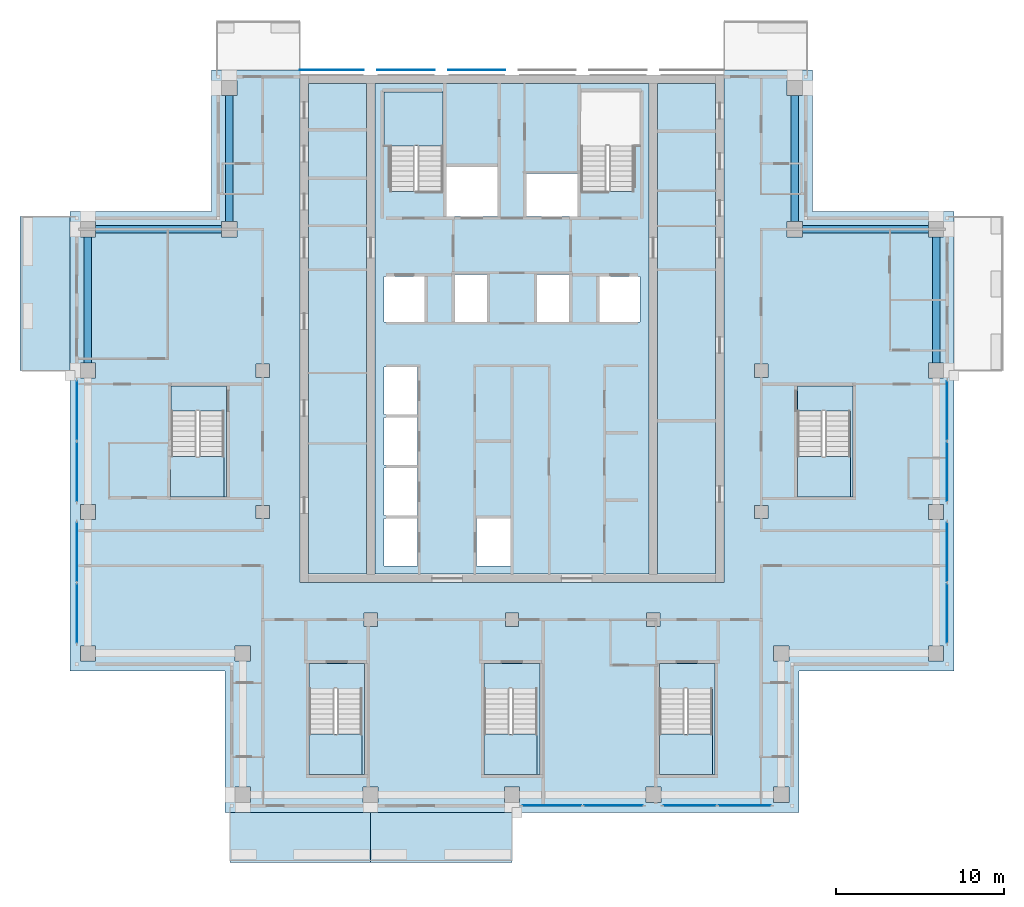
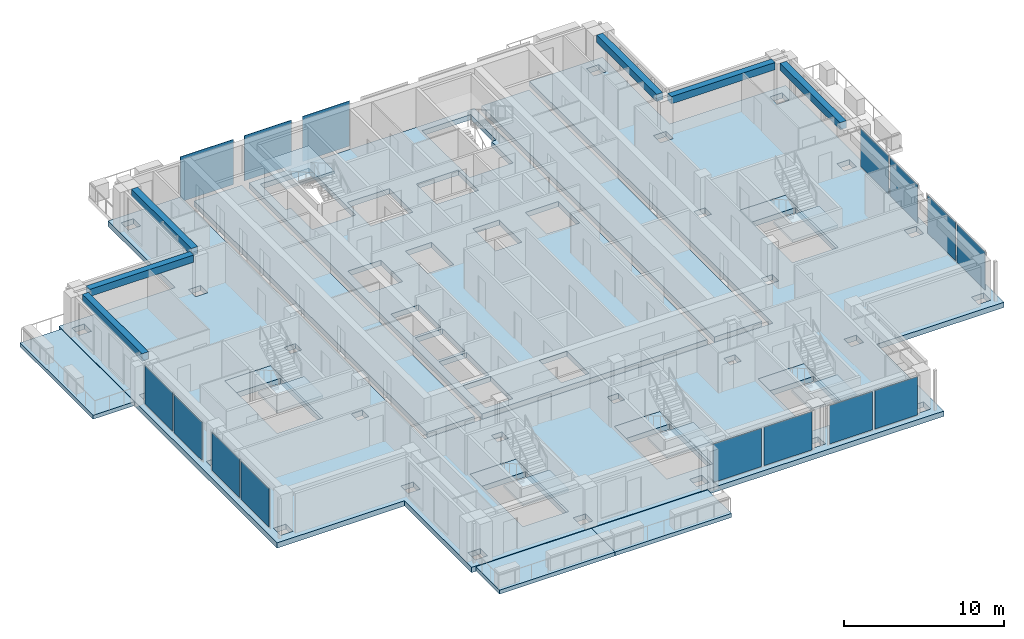
# One storey, part 5 of 15: 18 slabs, 15 plates, 6 beams, 12 elements without a shape of their own.
"""IFC4 building model written with IfcOpenShell, lengths in metres."""

from ifc_helpers import new_model, si_unit, direction, frame, origin, origin_2d, place, context, subcontext, project, spatial, polyline, rectangle, outline, extrude, material, layer, layer_set, material_profile, profile_set, type_object, element, aggregate, save


model = new_model("IFC4")

# Units and contexts
model_context = context("Model", 3, precision=1e-05, world=origin(), true_north=direction((0.0, 1.0)))
body_context = subcontext(model_context, "Body", "Model", "MODEL_VIEW")
ifc_project = project(units=[si_unit("LENGTHUNIT", "METRE"), si_unit("AREAUNIT", "SQUARE_METRE"), si_unit("VOLUMEUNIT", "CUBIC_METRE"), si_unit("PLANEANGLEUNIT", "RADIAN"), si_unit("MASSUNIT", "GRAM", prefix="KILO")], contexts=[model_context])

# Site, building, storey
site_placement = place(None, origin())
site = spatial("IfcSite", under=ifc_project, at=site_placement, CompositionType="ELEMENT")
building_placement = place(site_placement, origin())
building = spatial("IfcBuilding", under=site, at=building_placement, Name="Vermilion Ogive Tower", CompositionType="ELEMENT")
storey_placement = place(building_placement, frame((0.0, 0.0, 237.25)))
storey = spatial("IfcBuildingStorey", under=building, at=storey_placement, Name="L62", CompositionType="ELEMENT", Elevation=237.25)

# Beams
ifc_material_1 = material(Name="Concrete B45", Category="concrete")
ifc_material_profile = material_profile(ifc_material_1, rectangle(XDim=0.449951171875, YDim=0.550048828125, at=origin_2d()), Name="450 x 550")
ifc_profile_set = profile_set([ifc_material_profile], Name="Concrete B45")
beam_type = type_object("IfcBeamType", Name="Edge beam 450 x 550 B45", PredefinedType="BEAM", material=ifc_profile_set)
for number, where, z_axis, x_axis, name in (
    (1, (25.199951171875, 4.64990234375, 2.77490234375), (0.0, 1.0, 0.0), (-1.0, 0.0, 0.0), "L62-EB-9"),
    (2, (24.75, 12.60009765625, 2.77490234375), (-1.0, 0.0, 0.0), (0.0, -1.0, 0.0), "L62-EB-10"),
    (3, (16.800048828125, 13.050048828125, 2.77490234375), (0.0, 1.0, 0.0), (-1.0, 0.0, 0.0), "L62-EB-11"),
    (4, (-16.800048828125, 20.550048828125, 2.77490234375), (0.0, -1.0, 0.0), (1.0, 0.0, 0.0), "L62-EB-12"),
    (5, (-17.25, 12.60009765625, 2.77490234375), (-1.0, 0.0, 0.0), (0.0, -1.0, 0.0), "L62-EB-13"),
    (6, (-25.199951171875, 12.14990234375, 2.77490234375), (0.0, -1.0, 0.0), (1.0, 0.0, 0.0), "L62-EB-14"),
):
    element("IfcBeam", number, at=place(storey_placement, frame(where, z_axis=z_axis, x_axis=x_axis)), inside=storey, type_object=beam_type, Name=name, PredefinedType="BEAM", context=body_context, shape_type="SweptSolid", body=[
        extrude(rectangle(XDim=0.449951171875, YDim=0.550048828125, at=origin_2d()), origin(), (0.0, 0.0, 1.0), 7.5),
    ])

# Slabs
ifc_material_2 = material(Name="Concrete B40", Category="concrete")
ifc_layer_1 = layer(ifc_material_2, 0.300048828125)
ifc_layer_set_1 = layer_set([ifc_layer_1], Name="Balcony slab")
slab_type_1 = type_object("IfcSlabType", Name="Balcony slab", PredefinedType="FLOOR", material=ifc_layer_set_1)
slab_1_placement = place(storey_placement, frame((0.0, 0.0, -0.340087890625)))
element("IfcSlab", 7, at=slab_1_placement, inside=storey, type_object=slab_type_1, Name="Balcony slab S01", PredefinedType="FLOOR", context=body_context, shape_type="SweptSolid", body=[
    extrude(outline(polyline([(-16.75, -25.030029296875), (-8.39990234375, -25.030029296875), (-8.39990234375, -22.050048828125), (-16.75, -22.050048828125), (-16.75, -25.030029296875)])), origin(), (0.0, 0.0, 1.0), 0.300048828125),
])
slab_2_placement = place(storey_placement, frame((0.0, 0.0, -0.340087890625)))
element("IfcSlab", 8, at=slab_2_placement, inside=storey, type_object=slab_type_1, Name="Balcony slab S02", PredefinedType="FLOOR", context=body_context, shape_type="SweptSolid", body=[
    extrude(outline(polyline([(-8.39990234375, -25.030029296875), (0.0, -25.030029296875), (0.0, -22.050048828125), (-8.39990234375, -22.050048828125), (-8.39990234375, -25.030029296875)])), origin(), (0.0, 0.0, 1.0), 0.300048828125),
])
slab_3_placement = place(storey_placement, frame((0.0, 0.0, -0.340087890625)))
element("IfcSlab", 9, at=slab_3_placement, inside=storey, type_object=slab_type_1, Name="Balcony slab W01", PredefinedType="FLOOR", context=body_context, shape_type="SweptSolid", body=[
    extrude(outline(polyline([(-29.22998046875, 13.35009765625), (-29.22998046875, 4.199951171875), (-26.25, 4.199951171875), (-26.25, 13.35009765625), (-29.22998046875, 13.35009765625)])), origin(), (0.0, 0.0, 1.0), 0.300048828125),
])

# Curtain wall, plates
ifc_material_3 = material(Name="Low-iron laminated glazing in aluminium frame", Category="aluminium")
curtain_wall_type = type_object("IfcCurtainWallType", Name="Curtain wall CW7", PredefinedType="NOTDEFINED", material=ifc_material_3)
curtain_wall_1_placement = place(storey_placement, origin())
curtain_wall_1 = element("IfcCurtainWall", 10, at=curtain_wall_1_placement, inside=storey, type_object=curtain_wall_type, Name="Glazed skin S3", PredefinedType="NOTDEFINED")
ifc_material_4 = material(Name="Low-iron laminated glazing in aluminium frame", Category="aluminium")
ifc_layer_2 = layer(ifc_material_4, 0.031982421875)
ifc_layer_set_2 = layer_set([ifc_layer_2], Name="CW7 glazing panel 32")
plate_type_1 = type_object("IfcPlateType", Name="CW7 glazing panel 32", PredefinedType="CURTAIN_PANEL", material=ifc_layer_set_2)
plate_1_placement = place(storey_placement, frame((2.3701171875, -21.64990234375, 0.06005859375), z_axis=(0.0, 0.0, 1.0), x_axis=(1.0, 0.0, 0.0)))
plate_1 = element("IfcPlate", 11, at=plate_1_placement, type_object=plate_type_1, Name="CW7-S3 panel 1.1", PredefinedType="CURTAIN_PANEL", context=body_context, shape_type="SweptSolid", body=[
    extrude(rectangle(XDim=3.47998046875, YDim=0.031982421875, at=origin_2d()), origin(), (0.0, 0.0, 1.0), 2.929931640625),
])
plate_2_placement = place(storey_placement, frame((6.030029296875, -21.64990234375, 0.06005859375), z_axis=(0.0, 0.0, 1.0), x_axis=(1.0, 0.0, 0.0)))
plate_2 = element("IfcPlate", 12, at=plate_2_placement, type_object=plate_type_1, Name="CW7-S3 panel 2.1", PredefinedType="CURTAIN_PANEL", context=body_context, shape_type="SweptSolid", body=[
    extrude(rectangle(XDim=3.47998046875, YDim=0.031982421875, at=origin_2d()), origin(), (0.0, 0.0, 1.0), 2.929931640625),
])
aggregate(curtain_wall_1, [plate_1, plate_2])

curtain_wall_2_placement = place(storey_placement, origin())
curtain_wall_2 = element("IfcCurtainWall", 13, at=curtain_wall_2_placement, inside=storey, type_object=curtain_wall_type, Name="Glazed skin S4", PredefinedType="NOTDEFINED")
plate_3_placement = place(storey_placement, frame((10.570068359375, -21.64990234375, 0.06005859375), z_axis=(0.0, 0.0, 1.0), x_axis=(1.0, 0.0, 0.0)))
plate_3 = element("IfcPlate", 14, at=plate_3_placement, type_object=plate_type_1, Name="CW7-S4 panel 1.1", PredefinedType="CURTAIN_PANEL", context=body_context, shape_type="SweptSolid", body=[
    extrude(rectangle(XDim=3.080078125, YDim=0.031982421875, at=origin_2d()), origin(), (0.0, 0.0, 1.0), 2.929931640625),
])
plate_4_placement = place(storey_placement, frame((13.830078125, -21.64990234375, 0.06005859375), z_axis=(0.0, 0.0, 1.0), x_axis=(1.0, 0.0, 0.0)))
plate_4 = element("IfcPlate", 15, at=plate_4_placement, type_object=plate_type_1, Name="CW7-S4 panel 2.1", PredefinedType="CURTAIN_PANEL", context=body_context, shape_type="SweptSolid", body=[
    extrude(rectangle(XDim=3.080078125, YDim=0.031982421875, at=origin_2d()), origin(), (0.0, 0.0, 1.0), 2.929931640625),
])
aggregate(curtain_wall_2, [plate_3, plate_4])

curtain_wall_3_placement = place(storey_placement, origin())
curtain_wall_3 = element("IfcCurtainWall", 16, at=curtain_wall_3_placement, inside=storey, type_object=curtain_wall_type, Name="Glazed skin E1", PredefinedType="NOTDEFINED")
plate_5_placement = place(storey_placement, frame((25.85009765625, -10.22998046875, 0.06005859375), z_axis=(0.0, 0.0, 1.0), x_axis=(0.0, 1.0, 0.0)))
plate_5 = element("IfcPlate", 17, at=plate_5_placement, type_object=plate_type_1, Name="CW7-E1 panel 1.1", PredefinedType="CURTAIN_PANEL", context=body_context, shape_type="SweptSolid", body=[
    extrude(rectangle(XDim=3.47998046875, YDim=0.031982421875, at=origin_2d()), origin(), (0.0, 0.0, 1.0), 2.929931640625),
])
plate_6_placement = place(storey_placement, frame((25.85009765625, -6.570068359375, 0.06005859375), z_axis=(0.0, 0.0, 1.0), x_axis=(0.0, 1.0, 0.0)))
plate_6 = element("IfcPlate", 18, at=plate_6_placement, type_object=plate_type_1, Name="CW7-E1 panel 2.1", PredefinedType="CURTAIN_PANEL", context=body_context, shape_type="SweptSolid", body=[
    extrude(rectangle(XDim=3.47998046875, YDim=0.031982421875, at=origin_2d()), origin(), (0.0, 0.0, 1.0), 2.929931640625),
])
aggregate(curtain_wall_3, [plate_5, plate_6])

curtain_wall_4_placement = place(storey_placement, origin())
curtain_wall_4 = element("IfcCurtainWall", 19, at=curtain_wall_4_placement, inside=storey, type_object=curtain_wall_type, Name="Glazed skin E2", PredefinedType="NOTDEFINED")
plate_7_placement = place(storey_placement, frame((25.85009765625, -1.830078125, 0.06005859375), z_axis=(0.0, 0.0, 1.0), x_axis=(0.0, 1.0, 0.0)))
plate_7 = element("IfcPlate", 20, at=plate_7_placement, type_object=plate_type_1, Name="CW7-E2 panel 1.1", PredefinedType="CURTAIN_PANEL", context=body_context, shape_type="SweptSolid", body=[
    extrude(rectangle(XDim=3.47998046875, YDim=0.031982421875, at=origin_2d()), origin(), (0.0, 0.0, 1.0), 2.929931640625),
])
plate_8_placement = place(storey_placement, frame((25.85009765625, 1.830078125, 0.06005859375), z_axis=(0.0, 0.0, 1.0), x_axis=(0.0, 1.0, 0.0)))
plate_8 = element("IfcPlate", 21, at=plate_8_placement, type_object=plate_type_1, Name="CW7-E2 panel 2.1", PredefinedType="CURTAIN_PANEL", context=body_context, shape_type="SweptSolid", body=[
    extrude(rectangle(XDim=3.47998046875, YDim=0.031982421875, at=origin_2d()), origin(), (0.0, 0.0, 1.0), 2.929931640625),
])
aggregate(curtain_wall_4, [plate_7, plate_8])

curtain_wall_5_placement = place(storey_placement, origin())
curtain_wall_5 = element("IfcCurtainWall", 22, at=curtain_wall_5_placement, inside=storey, type_object=curtain_wall_type, Name="Glazed skin W2", PredefinedType="NOTDEFINED")
plate_9_placement = place(storey_placement, frame((-25.85009765625, 1.830078125, 0.06005859375), z_axis=(0.0, 0.0, 1.0), x_axis=(0.0, -1.0, 0.0)))
plate_9 = element("IfcPlate", 23, at=plate_9_placement, type_object=plate_type_1, Name="CW7-W2 panel 1.1", PredefinedType="CURTAIN_PANEL", context=body_context, shape_type="SweptSolid", body=[
    extrude(rectangle(XDim=3.47998046875, YDim=0.031982421875, at=origin_2d()), origin(), (0.0, 0.0, 1.0), 2.929931640625),
])
plate_10_placement = place(storey_placement, frame((-25.85009765625, -1.830078125, 0.06005859375), z_axis=(0.0, 0.0, 1.0), x_axis=(0.0, -1.0, 0.0)))
plate_10 = element("IfcPlate", 24, at=plate_10_placement, type_object=plate_type_1, Name="CW7-W2 panel 2.1", PredefinedType="CURTAIN_PANEL", context=body_context, shape_type="SweptSolid", body=[
    extrude(rectangle(XDim=3.47998046875, YDim=0.031982421875, at=origin_2d()), origin(), (0.0, 0.0, 1.0), 2.929931640625),
])
aggregate(curtain_wall_5, [plate_9, plate_10])

curtain_wall_6_placement = place(storey_placement, origin())
curtain_wall_6 = element("IfcCurtainWall", 25, at=curtain_wall_6_placement, inside=storey, type_object=curtain_wall_type, Name="Glazed skin W3", PredefinedType="NOTDEFINED")
plate_11_placement = place(storey_placement, frame((-25.85009765625, -6.570068359375, 0.06005859375), z_axis=(0.0, 0.0, 1.0), x_axis=(0.0, -1.0, 0.0)))
plate_11 = element("IfcPlate", 26, at=plate_11_placement, type_object=plate_type_1, Name="CW7-W3 panel 1.1", PredefinedType="CURTAIN_PANEL", context=body_context, shape_type="SweptSolid", body=[
    extrude(rectangle(XDim=3.47998046875, YDim=0.031982421875, at=origin_2d()), origin(), (0.0, 0.0, 1.0), 2.929931640625),
])
plate_12_placement = place(storey_placement, frame((-25.85009765625, -10.22998046875, 0.06005859375), z_axis=(0.0, 0.0, 1.0), x_axis=(0.0, -1.0, 0.0)))
plate_12 = element("IfcPlate", 27, at=plate_12_placement, type_object=plate_type_1, Name="CW7-W3 panel 2.1", PredefinedType="CURTAIN_PANEL", context=body_context, shape_type="SweptSolid", body=[
    extrude(rectangle(XDim=3.47998046875, YDim=0.031982421875, at=origin_2d()), origin(), (0.0, 0.0, 1.0), 2.929931640625),
])
aggregate(curtain_wall_6, [plate_11, plate_12])

# Slabs
ifc_material_5 = material(Name="Concrete B40", Category="concrete")
ifc_layer_3 = layer(ifc_material_5, 0.39990234375)
ifc_layer_set_3 = layer_set([ifc_layer_3], Name="Core floor slab 400 B40")
slab_type_2 = type_object("IfcSlabType", Name="Core floor slab 400 B40", PredefinedType="FLOOR", material=ifc_layer_set_3)
slab_4_placement = place(storey_placement, frame((0.0, 0.0, -0.39990234375)))
element("IfcSlab", 28, at=slab_4_placement, inside=storey, type_object=slab_type_2, Name="L62-CK-FS1", PredefinedType="FLOOR", context=body_context, shape_type="SweptSolid", body=[
    extrude(outline(polyline([(-8.654052734375, 21.24609375), (-8.654052734375, -7.89599609375), (-12.095947265625, -7.89599609375), (-12.095947265625, 21.24609375), (-8.654052734375, 21.24609375)])), origin(), (0.0, 0.0, 1.0), 0.39990234375),
])
slab_5_placement = place(storey_placement, frame((0.0, 0.0, -0.39990234375)))
element("IfcSlab", 29, at=slab_5_placement, inside=storey, type_object=slab_type_2, Name="L62-CK-FS2", PredefinedType="FLOOR", context=body_context, shape_type="SweptSolid", body=[
    extrude(outline(polyline([(-8.14599609375, -7.89599609375), (8.14599609375, -7.89599609375), (8.14599609375, 21.24609375), (-8.14599609375, 21.24609375), (-8.14599609375, -7.89599609375)]), holes=[polyline([(-7.60009765625, -7.39990234375), (-7.60009765625, -4.60009765625), (-5.60009765625, -4.60009765625), (-5.60009765625, -7.39990234375), (-7.60009765625, -7.39990234375)]), polyline([(-7.60009765625, -4.39990234375), (-7.60009765625, -1.60009765625), (-5.60009765625, -1.60009765625), (-5.60009765625, -4.39990234375), (-7.60009765625, -4.39990234375)]), polyline([(-7.60009765625, -1.39990234375), (-7.60009765625, 1.39990234375), (-5.60009765625, 1.39990234375), (-5.60009765625, -1.39990234375), (-7.60009765625, -1.39990234375)]), polyline([(-7.60009765625, 1.60009765625), (-7.60009765625, 4.39990234375), (-5.60009765625, 4.39990234375), (-5.60009765625, 1.60009765625), (-7.60009765625, 1.60009765625)]), polyline([(-7.60009765625, 7.10009765625), (-7.60009765625, 9.800048828125), (-5.199951171875, 9.800048828125), (-5.199951171875, 7.10009765625), (-7.60009765625, 7.10009765625)]), polyline([(-3.39990234375, 9.89990234375), (-1.5, 9.89990234375), (-1.5, 7.10009765625), (-3.39990234375, 7.10009765625), (-3.39990234375, 9.89990234375)]), polyline([(-7.60009765625, 17.550048828125), (-7.60009765625, 20.75), (-4.10009765625, 20.75), (-4.10009765625, 14.85205078125), (-5.60009765625, 14.85205078125), (-5.60009765625, 14.85009765625), (-5.75, 14.85009765625), (-5.75, 14.85205078125), (-7.25, 14.85205078125), (-7.25, 17.550048828125), (-7.60009765625, 17.550048828125)]), polyline([(-2.10009765625, -7.39990234375), (-2.10009765625, -4.60009765625), (-0.10009765625, -4.60009765625), (-0.10009765625, -7.39990234375), (-2.10009765625, -7.39990234375)]), polyline([(5.199951171875, 7.10009765625), (5.199951171875, 9.800048828125), (7.60009765625, 9.800048828125), (7.60009765625, 7.10009765625), (5.199951171875, 7.10009765625)]), polyline([(1.5, 7.10009765625), (1.5, 9.89990234375), (3.39990234375, 9.89990234375), (3.39990234375, 7.10009765625), (1.5, 7.10009765625)]), polyline([(0.85009765625, 13.35009765625), (0.85009765625, 15.89990234375), (3.89990234375, 15.89990234375), (3.89990234375, 13.35009765625), (0.85009765625, 13.35009765625)]), polyline([(-3.89990234375, 16.300048828125), (-0.85009765625, 16.300048828125), (-0.85009765625, 13.35009765625), (-3.89990234375, 13.35009765625), (-3.89990234375, 16.300048828125)]), polyline([(5.75, 14.85009765625), (5.60009765625, 14.85009765625), (5.60009765625, 14.85205078125), (4.10009765625, 14.85205078125), (4.10009765625, 17.550048828125), (4.074951171875, 17.550048828125), (4.074951171875, 20.75), (7.60009765625, 20.75), (7.60009765625, 17.550048828125), (7.25, 17.550048828125), (7.25, 14.85205078125), (5.75, 14.85205078125), (5.75, 14.85009765625)])]), origin(), (0.0, 0.0, 1.0), 0.39990234375),
])
slab_6_placement = place(storey_placement, frame((0.0, 0.0, -0.39990234375)))
element("IfcSlab", 30, at=slab_6_placement, inside=storey, type_object=slab_type_2, Name="L62-CK-FS3", PredefinedType="FLOOR", context=body_context, shape_type="SweptSolid", body=[
    extrude(outline(polyline([(8.654052734375, 21.24609375), (12.095947265625, 21.24609375), (12.095947265625, -7.89599609375), (8.654052734375, -7.89599609375), (8.654052734375, 21.24609375)])), origin(), (0.0, 0.0, 1.0), 0.39990234375),
])
slab_7_placement = place(storey_placement, frame((0.0, 0.0, -0.39990234375)))
element("IfcSlab", 31, at=slab_7_placement, inside=storey, type_object=slab_type_2, Name="L62-SF-ST3-1", PredefinedType="FLOOR", context=body_context, shape_type="SweptSolid", body=[
    extrude(outline(polyline([(-12.050048828125, -13.199951171875), (-12.050048828125, -14.701904296875), (-10.550048828125, -14.701904296875), (-10.550048828125, -14.699951171875), (-10.39990234375, -14.699951171875), (-10.39990234375, -14.701904296875), (-8.89990234375, -14.701904296875), (-8.89990234375, -19.800048828125), (-8.75, -19.800048828125), (-8.75, -13.199951171875), (-12.050048828125, -13.199951171875)])), origin(), (0.0, 0.0, 1.0), 0.39990234375),
])
slab_8_placement = place(storey_placement, frame((0.0, 0.0, -0.39990234375)))
element("IfcSlab", 32, at=slab_8_placement, inside=storey, type_object=slab_type_2, Name="L62-SF-ST4-1", PredefinedType="FLOOR", context=body_context, shape_type="SweptSolid", body=[
    extrude(outline(polyline([(-1.64990234375, -13.199951171875), (-1.64990234375, -14.701904296875), (-0.14990234375, -14.701904296875), (-0.14990234375, -14.699951171875), (0.0, -14.699951171875), (0.0, -14.701904296875), (1.5, -14.701904296875), (1.5, -19.800048828125), (1.64990234375, -19.800048828125), (1.64990234375, -13.199951171875), (-1.64990234375, -13.199951171875)])), origin(), (0.0, 0.0, 1.0), 0.39990234375),
])
slab_9_placement = place(storey_placement, frame((0.0, 0.0, -0.39990234375)))
element("IfcSlab", 33, at=slab_9_placement, inside=storey, type_object=slab_type_2, Name="L62-SF-ST5-1", PredefinedType="FLOOR", context=body_context, shape_type="SweptSolid", body=[
    extrude(outline(polyline([(8.75, -13.199951171875), (8.75, -14.701904296875), (10.25, -14.701904296875), (10.25, -14.699951171875), (10.39990234375, -14.699951171875), (10.39990234375, -14.701904296875), (11.89990234375, -14.701904296875), (11.89990234375, -19.800048828125), (12.050048828125, -19.800048828125), (12.050048828125, -13.199951171875), (8.75, -13.199951171875)])), origin(), (0.0, 0.0, 1.0), 0.39990234375),
])
slab_10_placement = place(storey_placement, frame((0.0, 0.0, -0.39990234375)))
element("IfcSlab", 34, at=slab_10_placement, inside=storey, type_object=slab_type_2, Name="L62-SF-ST8-1", PredefinedType="FLOOR", context=body_context, shape_type="SweptSolid", body=[
    extrude(outline(polyline([(16.949951171875, 3.300048828125), (16.949951171875, 1.798095703125), (18.449951171875, 1.798095703125), (18.449951171875, 1.800048828125), (18.60009765625, 1.800048828125), (18.60009765625, 1.798095703125), (20.10009765625, 1.798095703125), (20.10009765625, -3.300048828125), (20.25, -3.300048828125), (20.25, 3.300048828125), (16.949951171875, 3.300048828125)])), origin(), (0.0, 0.0, 1.0), 0.39990234375),
])
slab_11_placement = place(storey_placement, frame((0.0, 0.0, -0.39990234375)))
element("IfcSlab", 35, at=slab_11_placement, inside=storey, type_object=slab_type_2, Name="L62-SF-ST9-1", PredefinedType="FLOOR", context=body_context, shape_type="SweptSolid", body=[
    extrude(outline(polyline([(-20.25, 3.300048828125), (-20.25, 1.798095703125), (-18.75, 1.798095703125), (-18.75, 1.800048828125), (-18.60009765625, 1.800048828125), (-18.60009765625, 1.798095703125), (-17.10009765625, 1.798095703125), (-17.10009765625, -3.300048828125), (-16.949951171875, -3.300048828125), (-16.949951171875, 3.300048828125), (-20.25, 3.300048828125)])), origin(), (0.0, 0.0, 1.0), 0.39990234375),
])

# Plates
ifc_material_6 = material(Name="Low-iron laminated glazing in aluminium frame", Category="aluminium")
ifc_layer_4 = layer(ifc_material_6, 0.031982421875)
ifc_layer_set_4 = layer_set([ifc_layer_4], Name="Glazed rainscreen sheet 32")
plate_type_2 = type_object("IfcPlateType", Name="Glazed rainscreen sheet 32", PredefinedType="SHEET", material=ifc_layer_set_4)
plate_13_placement = place(storey_placement, frame((-10.7099609375, 22.06591796875, -0.39990234375), z_axis=(0.0, 0.0, 1.0), x_axis=(1.0, 0.0, 0.0)))
element("IfcPlate", 36, at=plate_13_placement, inside=storey, type_object=plate_type_2, Name="Glazed rainscreen sheet N1", PredefinedType="SHEET", context=body_context, shape_type="SweptSolid", body=[
    extrude(rectangle(XDim=3.820068359375, YDim=0.031982421875, at=origin_2d()), origin(), (0.0, 0.0, 1.0), 3.449951171875),
])
for number, where, z_axis, x_axis, name in (
    (37, (-6.300048828125, 22.06591796875, -0.39990234375), (0.0, 0.0, 1.0), (1.0, 0.0, 0.0), "Glazed rainscreen sheet N2"),
    (38, (-2.10009765625, 22.06591796875, -0.39990234375), (0.0, 0.0, 1.0), (1.0, 0.0, 0.0), "Glazed rainscreen sheet N3"),
):
    element("IfcPlate", number, at=place(storey_placement, frame(where, z_axis=z_axis, x_axis=x_axis)), inside=storey, type_object=plate_type_2, Name=name, PredefinedType="SHEET", context=body_context, shape_type="SweptSolid", body=[
        extrude(rectangle(XDim=3.39990234375, YDim=0.031982421875, at=origin_2d()), origin(), (0.0, 0.0, 1.0), 3.449951171875),
    ])

# Slab
ifc_material_7 = material(Name="Concrete B45", Category="concrete")
ifc_layer_5 = layer(ifc_material_7, 0.39990234375)
ifc_layer_set_5 = layer_set([ifc_layer_5], Name="Post-tensioned flat plate 400 B45")
slab_type_3 = type_object("IfcSlabType", Name="Post-tensioned flat plate 400 B45", PredefinedType="FLOOR", material=ifc_layer_set_5)
slab_12_placement = place(storey_placement, frame((0.0, 0.0, -0.39990234375)))
element("IfcSlab", 39, at=slab_12_placement, inside=storey, type_object=slab_type_3, Name="L62-SL-1", PredefinedType="FLOOR", context=body_context, shape_type="SweptSolid", body=[
    extrude(outline(polyline([(-26.25, -13.64990234375), (-17.050048828125, -13.64990234375), (-17.050048828125, -22.050048828125), (17.050048828125, -22.050048828125), (17.050048828125, -13.64990234375), (26.25, -13.64990234375), (26.25, 13.64990234375), (17.85009765625, 13.64990234375), (17.85009765625, 22.050048828125), (12.60009765625, 22.050048828125), (12.60009765625, -8.39990234375), (-12.60009765625, -8.39990234375), (-12.60009765625, 22.050048828125), (-17.85009765625, 22.050048828125), (-17.85009765625, 13.64990234375), (-26.25, 13.64990234375), (-26.25, -13.64990234375)]), holes=[polyline([(25.64990234375, -3.75), (25.64990234375, -4.64990234375), (24.75, -4.64990234375), (24.75, -3.75), (25.64990234375, -3.75)]), polyline([(25.64990234375, -12.14990234375), (25.64990234375, -13.050048828125), (24.75, -13.050048828125), (24.75, -12.14990234375), (25.64990234375, -12.14990234375)]), polyline([(25.64990234375, 12.14990234375), (24.75, 12.14990234375), (24.75, 13.050048828125), (25.64990234375, 13.050048828125), (25.64990234375, 12.14990234375)]), polyline([(25.64990234375, 3.75), (24.75, 3.75), (24.75, 4.64990234375), (25.64990234375, 4.64990234375), (25.64990234375, 3.75)]), polyline([(20.25, 3.300048828125), (20.25, -3.300048828125), (16.949951171875, -3.300048828125), (16.949951171875, 3.300048828125), (20.25, 3.300048828125)]), polyline([(17.25, 13.050048828125), (17.25, 12.14990234375), (16.35009765625, 12.14990234375), (16.35009765625, 13.050048828125), (17.25, 13.050048828125)]), polyline([(17.25, 20.550048828125), (16.35009765625, 20.550048828125), (16.35009765625, 21.449951171875), (17.25, 21.449951171875), (17.25, 20.550048828125)]), polyline([(16.449951171875, -12.14990234375), (16.449951171875, -13.050048828125), (15.550048828125, -13.050048828125), (15.550048828125, -12.14990234375), (16.449951171875, -12.14990234375)]), polyline([(16.449951171875, -20.550048828125), (16.449951171875, -21.449951171875), (15.550048828125, -21.449951171875), (15.550048828125, -20.550048828125), (16.449951171875, -20.550048828125)]), polyline([(15.199951171875, 4.60009765625), (15.199951171875, 3.800048828125), (14.39990234375, 3.800048828125), (14.39990234375, 4.60009765625), (15.199951171875, 4.60009765625)]), polyline([(15.199951171875, -4.60009765625), (14.39990234375, -4.60009765625), (14.39990234375, -3.800048828125), (15.199951171875, -3.800048828125), (15.199951171875, -4.60009765625)]), polyline([(12.050048828125, -13.199951171875), (12.050048828125, -19.800048828125), (8.75, -19.800048828125), (8.75, -13.199951171875), (12.050048828125, -13.199951171875)]), polyline([(8.85009765625, -20.550048828125), (8.85009765625, -21.449951171875), (7.949951171875, -21.449951171875), (7.949951171875, -20.550048828125), (8.85009765625, -20.550048828125)]), polyline([(8.800048828125, -11.0), (8.0, -11.0), (8.0, -10.199951171875), (8.800048828125, -10.199951171875), (8.800048828125, -11.0)]), polyline([(1.64990234375, -13.199951171875), (1.64990234375, -19.800048828125), (-1.64990234375, -19.800048828125), (-1.64990234375, -13.199951171875), (1.64990234375, -13.199951171875)]), polyline([(0.449951171875, -20.550048828125), (0.449951171875, -21.449951171875), (-0.449951171875, -21.449951171875), (-0.449951171875, -20.550048828125), (0.449951171875, -20.550048828125)]), polyline([(0.39990234375, -10.199951171875), (0.39990234375, -11.0), (-0.39990234375, -11.0), (-0.39990234375, -10.199951171875), (0.39990234375, -10.199951171875)]), polyline([(-7.949951171875, -20.550048828125), (-7.949951171875, -21.449951171875), (-8.85009765625, -21.449951171875), (-8.85009765625, -20.550048828125), (-7.949951171875, -20.550048828125)]), polyline([(-8.0, -10.199951171875), (-8.0, -11.0), (-8.800048828125, -11.0), (-8.800048828125, -10.199951171875), (-8.0, -10.199951171875)]), polyline([(-8.75, -13.199951171875), (-8.75, -19.800048828125), (-12.050048828125, -19.800048828125), (-12.050048828125, -13.199951171875), (-8.75, -13.199951171875)]), polyline([(-14.39990234375, 4.60009765625), (-14.39990234375, 3.800048828125), (-15.199951171875, 3.800048828125), (-15.199951171875, 4.60009765625), (-14.39990234375, 4.60009765625)]), polyline([(-14.39990234375, -4.60009765625), (-15.199951171875, -4.60009765625), (-15.199951171875, -3.800048828125), (-14.39990234375, -3.800048828125), (-14.39990234375, -4.60009765625)]), polyline([(-15.550048828125, -12.14990234375), (-15.550048828125, -13.050048828125), (-16.449951171875, -13.050048828125), (-16.449951171875, -12.14990234375), (-15.550048828125, -12.14990234375)]), polyline([(-15.550048828125, -20.550048828125), (-15.550048828125, -21.449951171875), (-16.449951171875, -21.449951171875), (-16.449951171875, -20.550048828125), (-15.550048828125, -20.550048828125)]), polyline([(-16.35009765625, 13.050048828125), (-16.35009765625, 12.14990234375), (-17.25, 12.14990234375), (-17.25, 13.050048828125), (-16.35009765625, 13.050048828125)]), polyline([(-16.35009765625, 20.550048828125), (-17.25, 20.550048828125), (-17.25, 21.449951171875), (-16.35009765625, 21.449951171875), (-16.35009765625, 20.550048828125)]), polyline([(-16.949951171875, 3.300048828125), (-16.949951171875, -3.300048828125), (-20.25, -3.300048828125), (-20.25, -3.2998046875), (-20.275146484375, -3.2998046875), (-20.275146484375, -0.89990234375), (-20.25, -0.89990234375), (-20.25, 3.300048828125), (-16.949951171875, 3.300048828125)]), polyline([(-24.75, 3.75), (-25.64990234375, 3.75), (-25.64990234375, 4.64990234375), (-24.75, 4.64990234375), (-24.75, 3.75)]), polyline([(-24.75, 13.050048828125), (-24.75, 12.14990234375), (-25.64990234375, 12.14990234375), (-25.64990234375, 13.050048828125), (-24.75, 13.050048828125)]), polyline([(-24.75, -3.75), (-24.75, -4.64990234375), (-25.64990234375, -4.64990234375), (-25.64990234375, -3.75), (-24.75, -3.75)]), polyline([(-24.75, -12.14990234375), (-24.75, -13.050048828125), (-25.64990234375, -13.050048828125), (-25.64990234375, -12.14990234375), (-24.75, -12.14990234375)])]), origin(), (0.0, 0.0, 1.0), 0.39990234375),
])

# Stair, slab
ifc_material_8 = material(Name="Concrete B40", Category="concrete")
stair_type = type_object("IfcStairType", Name="Exit stair 1500", PredefinedType="HALF_TURN_STAIR", material=ifc_material_8)
stair_1_placement = place(storey_placement, origin())
stair_1 = element("IfcStair", 40, at=stair_1_placement, inside=storey, type_object=stair_type, Name="L62 Exit Stair ST1", PredefinedType="HALF_TURN_STAIR")
ifc_material_9 = material(Name="Concrete B40", Category="concrete")
ifc_layer_6 = layer(ifc_material_9, 0.199951171875)
ifc_layer_set_6 = layer_set([ifc_layer_6], Name="Stair landing 200")
slab_type_4 = type_object("IfcSlabType", Name="Stair landing 200", PredefinedType="LANDING", material=ifc_layer_set_6)
slab_13_placement = place(storey_placement, frame((0.0, 0.0, 1.52490234375)))
slab_13 = element("IfcSlab", 41, at=slab_13_placement, type_object=slab_type_4, Name="ST1 landing 1", PredefinedType="LANDING", context=body_context, shape_type="SweptSolid", body=[
    extrude(outline(polyline([(-7.60009765625, 17.550048828125), (-7.25, 17.550048828125), (-7.25, 17.548095703125), (-5.75, 17.548095703125), (-5.75, 17.550048828125), (-5.60009765625, 17.550048828125), (-5.60009765625, 17.548095703125), (-4.10009765625, 17.548095703125), (-4.10009765625, 20.75), (-7.60009765625, 20.75), (-7.60009765625, 17.550048828125)])), origin(), (0.0, 0.0, 1.0), 0.2001953125),
])
aggregate(stair_1, [slab_13])

stair_2_placement = place(storey_placement, origin())
stair_2 = element("IfcStair", 42, at=stair_2_placement, inside=storey, type_object=stair_type, Name="L62 Exit Stair ST3", PredefinedType="HALF_TURN_STAIR")
slab_14_placement = place(storey_placement, frame((0.0, 0.0, 1.52490234375)))
slab_14 = element("IfcSlab", 43, at=slab_14_placement, type_object=slab_type_4, Name="ST3 landing 1", PredefinedType="LANDING", context=body_context, shape_type="SweptSolid", body=[
    extrude(outline(polyline([(-8.75, -17.39990234375), (-8.89990234375, -17.39990234375), (-8.89990234375, -17.39794921875), (-10.39990234375, -17.39794921875), (-10.39990234375, -17.39990234375), (-10.550048828125, -17.39990234375), (-10.550048828125, -17.39794921875), (-12.050048828125, -17.39794921875), (-12.050048828125, -17.402099609375), (-12.0498046875, -17.402099609375), (-12.0498046875, -19.7998046875), (-8.75, -19.7998046875), (-8.75, -17.39990234375)])), origin(), (0.0, 0.0, 1.0), 0.2001953125),
])
aggregate(stair_2, [slab_14])

stair_3_placement = place(storey_placement, origin())
stair_3 = element("IfcStair", 44, at=stair_3_placement, inside=storey, type_object=stair_type, Name="L62 Exit Stair ST4", PredefinedType="HALF_TURN_STAIR")
slab_15_placement = place(storey_placement, frame((0.0, 0.0, 1.52490234375)))
slab_15 = element("IfcSlab", 45, at=slab_15_placement, type_object=slab_type_4, Name="ST4 landing 1", PredefinedType="LANDING", context=body_context, shape_type="SweptSolid", body=[
    extrude(outline(polyline([(1.64990234375, -17.39990234375), (1.5, -17.39990234375), (1.5, -17.39794921875), (0.0, -17.39794921875), (0.0, -17.39990234375), (-0.14990234375, -17.39990234375), (-0.14990234375, -17.39794921875), (-1.64990234375, -17.39794921875), (-1.64990234375, -19.7998046875), (1.64990234375, -19.7998046875), (1.64990234375, -17.39990234375)])), origin(), (0.0, 0.0, 1.0), 0.2001953125),
])
aggregate(stair_3, [slab_15])

stair_4_placement = place(storey_placement, origin())
stair_4 = element("IfcStair", 46, at=stair_4_placement, inside=storey, type_object=stair_type, Name="L62 Exit Stair ST5", PredefinedType="HALF_TURN_STAIR")
slab_16_placement = place(storey_placement, frame((0.0, 0.0, 1.52490234375)))
slab_16 = element("IfcSlab", 47, at=slab_16_placement, type_object=slab_type_4, Name="ST5 landing 1", PredefinedType="LANDING", context=body_context, shape_type="SweptSolid", body=[
    extrude(outline(polyline([(12.0498046875, -17.39990234375), (11.89990234375, -17.39990234375), (11.89990234375, -17.39794921875), (10.39990234375, -17.39794921875), (10.39990234375, -17.39990234375), (10.25, -17.39990234375), (10.25, -17.39794921875), (8.75, -17.39794921875), (8.75, -17.39990234375), (8.75, -17.39990234375), (8.75, -19.7998046875), (12.0498046875, -19.7998046875), (12.0498046875, -17.39990234375)])), origin(), (0.0, 0.0, 1.0), 0.2001953125),
])
aggregate(stair_4, [slab_16])

stair_5_placement = place(storey_placement, origin())
stair_5 = element("IfcStair", 48, at=stair_5_placement, inside=storey, type_object=stair_type, Name="L62 Exit Stair ST8", PredefinedType="HALF_TURN_STAIR")
slab_17_placement = place(storey_placement, frame((0.0, 0.0, 1.52490234375)))
slab_17 = element("IfcSlab", 49, at=slab_17_placement, type_object=slab_type_4, Name="ST8 landing 1", PredefinedType="LANDING", context=body_context, shape_type="SweptSolid", body=[
    extrude(outline(polyline([(20.25, -0.89990234375), (20.10009765625, -0.89990234375), (20.10009765625, -0.89794921875), (18.60009765625, -0.89794921875), (18.60009765625, -0.89990234375), (18.449951171875, -0.89990234375), (18.449951171875, -0.89794921875), (16.949951171875, -0.89794921875), (16.949951171875, -0.902099609375), (16.9501953125, -0.902099609375), (16.9501953125, -3.2998046875), (20.25, -3.2998046875), (20.25, -0.89990234375)])), origin(), (0.0, 0.0, 1.0), 0.2001953125),
])
aggregate(stair_5, [slab_17])

stair_6_placement = place(storey_placement, origin())
stair_6 = element("IfcStair", 50, at=stair_6_placement, inside=storey, type_object=stair_type, Name="L62 Exit Stair ST9", PredefinedType="HALF_TURN_STAIR")
slab_18_placement = place(storey_placement, frame((0.0, 0.0, 1.52490234375)))
slab_18 = element("IfcSlab", 51, at=slab_18_placement, type_object=slab_type_4, Name="ST9 landing 1", PredefinedType="LANDING", context=body_context, shape_type="SweptSolid", body=[
    extrude(outline(polyline([(-16.9501953125, -0.89990234375), (-17.10009765625, -0.89990234375), (-17.10009765625, -0.89794921875), (-18.60009765625, -0.89794921875), (-18.60009765625, -0.89990234375), (-18.75, -0.89990234375), (-18.75, -0.89794921875), (-20.25, -0.89794921875), (-20.25, -0.89990234375), (-20.275146484375, -0.89990234375), (-20.275146484375, -3.2998046875), (-16.9501953125, -3.2998046875), (-16.9501953125, -0.89990234375)])), origin(), (0.0, 0.0, 1.0), 0.2001953125),
])
aggregate(stair_6, [slab_18])

save(model, "model.ifc")
